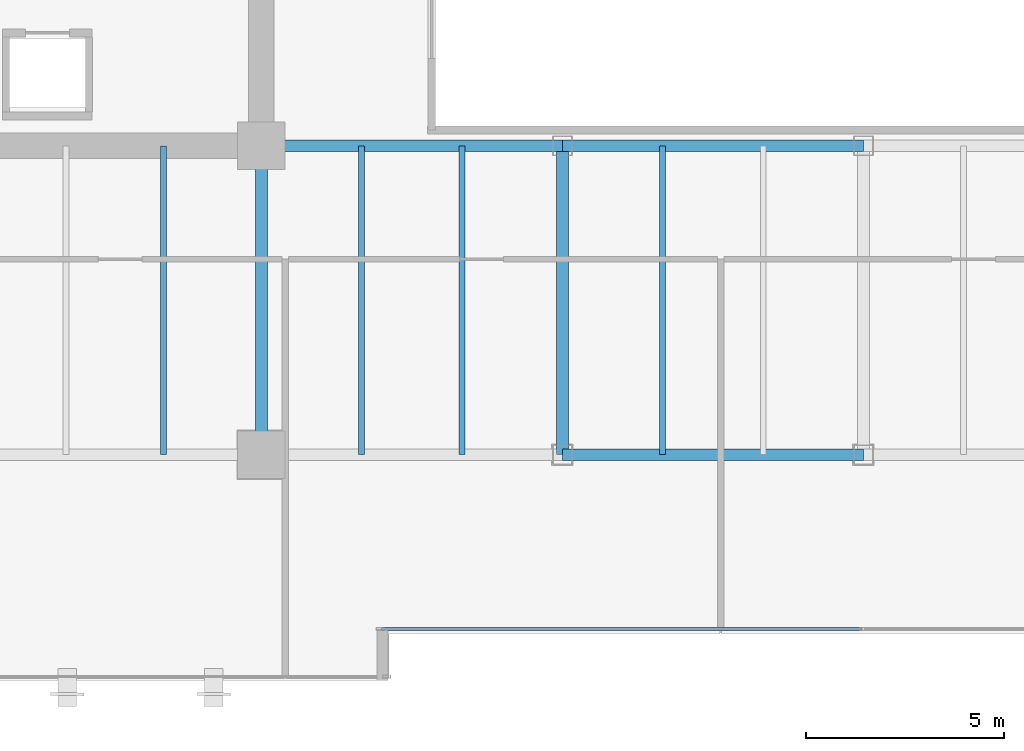
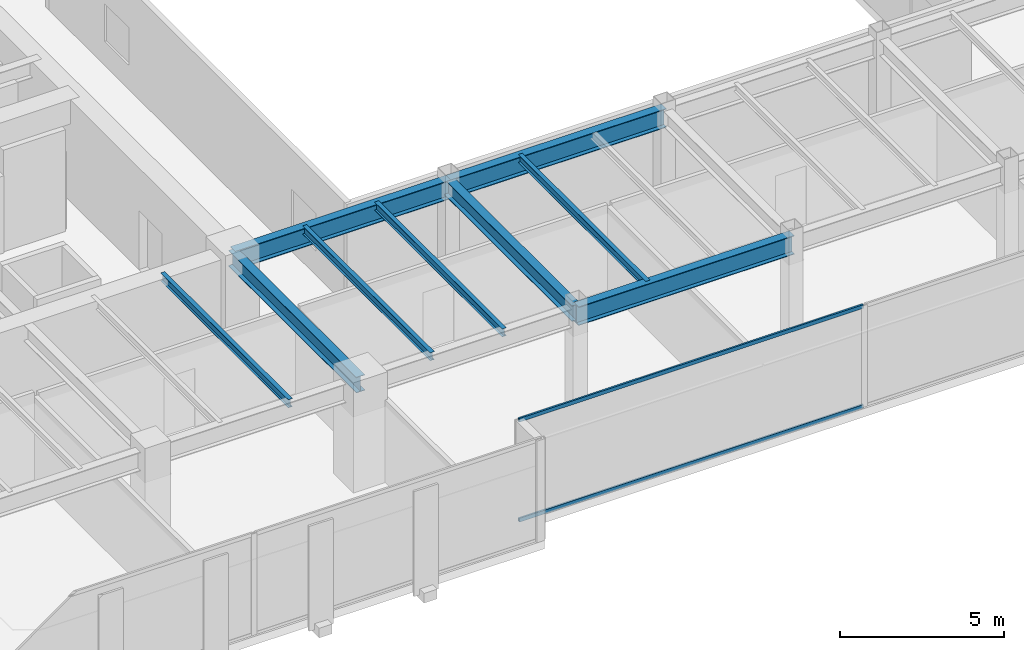
# One storey, part 5 of 34: 9 beams, 2 members, 1 element without a shape of its own.
"""IFC4 building model written with IfcOpenShell, lengths in metres."""

from ifc_helpers import new_model, si_unit, direction, frame, origin, origin_2d, place, context, subcontext, project, spatial, hollow_rectangle, i_section, extrude, source, transform, mapped, material, layer, layer_set, material_profile, profile_set, type_object, type_shapes, element, aggregate, save


model = new_model("IFC4")

# Units and contexts
model_context = context("Model", 3, precision=1e-05, world=origin(), true_north=direction((0.0, 1.0)))
body_context = subcontext(model_context, "Body", "Model", "MODEL_VIEW")
ifc_project = project(units=[si_unit("LENGTHUNIT", "METRE"), si_unit("AREAUNIT", "SQUARE_METRE"), si_unit("VOLUMEUNIT", "CUBIC_METRE"), si_unit("PLANEANGLEUNIT", "RADIAN"), si_unit("MASSUNIT", "GRAM", prefix="KILO")], contexts=[model_context])

# Site, building, storey
site_placement = place(None, origin())
site = spatial("IfcSite", under=ifc_project, at=site_placement, CompositionType="ELEMENT")
building_placement = place(site_placement, origin())
building = spatial("IfcBuilding", under=site, at=building_placement, Name="Haelvirn Gate Laboratories", CompositionType="ELEMENT")
storey_placement = place(building_placement, frame((0.0, 0.0, 158.39990234375)))
storey = spatial("IfcBuildingStorey", under=building, at=storey_placement, Name="L38", CompositionType="ELEMENT", Elevation=158.39990234375)

# Beams
ifc_material_1 = material(Name="Steel SM355", Category="steel")
ifc_material_profile_1 = material_profile(ifc_material_1, i_section(OverallWidth=0.300048828125, OverallDepth=0.699951171875, WebThickness=0.012939453125, FlangeThickness=0.02392578125, at=origin_2d()), Name="H-700x300x13x24")
ifc_profile_set_1 = profile_set([ifc_material_profile_1], Name="Steel SM355")
beam_type_1 = type_object("IfcBeamType", Name="BM-G-700", PredefinedType="BEAM", material=ifc_profile_set_1)
shared_shape_1 = source(origin(), body_context, "Body", "SweptSolid", [
    extrude(i_section(OverallWidth=0.300048828125, OverallDepth=0.699951171875, WebThickness=0.012939453125, FlangeThickness=0.02392578125, at=origin_2d()), origin(), (0.0, 0.0, 1.0), 7.60009765625),
])
beam_placement = place(storey_placement, frame((22.199951171875, 14.800048828125, 3.440185546875), z_axis=(1.0, 0.0, 0.0), x_axis=(0.0, 1.0, 0.0)))
element("IfcBeam", 1, at=beam_placement, inside=storey, type_object=beam_type_1, Name="L38 Primary Girder Y14.8 (22.2-29.8)", PredefinedType="BEAM", context=body_context, shape_type="MappedRepresentation", body=[
    mapped(shared_shape_1, transform((0.0, 0.0, 0.0), scale=1.0)),
])
shared_shape_2 = source(origin(), body_context, "Body", "SweptSolid", [
    extrude(i_section(OverallWidth=0.300048828125, OverallDepth=0.699951171875, WebThickness=0.012939453125, FlangeThickness=0.02392578125, at=origin_2d()), origin(), (0.0, 0.0, 1.0), 7.599853515625),
])
type_shapes(beam_type_1, [shared_shape_1, shared_shape_2])
for number, where, z_axis, x_axis, name in (
    (2, (29.800048828125, 7.0, 3.440185546875), (1.0, 0.0, 0.0), (0.0, 1.0, 0.0), "L38 Primary Girder Y7.0 (29.8-37.4)"),
    (3, (29.800048828125, 14.800048828125, 3.440185546875), (1.0, 0.0, 0.0), (0.0, 1.0, 0.0), "L38 Primary Girder Y14.8 (29.8-37.4)"),
):
    element("IfcBeam", number, at=place(storey_placement, frame(where, z_axis=z_axis, x_axis=x_axis)), inside=storey, type_object=beam_type_1, Name=name, PredefinedType="BEAM", context=body_context, shape_type="MappedRepresentation", body=[
        mapped(shared_shape_2, transform((0.0, 0.0, 0.0), scale=1.0)),
    ])
ifc_material_profile_2 = material_profile(ifc_material_1, i_section(OverallWidth=0.14990234375, OverallDepth=0.300048828125, WebThickness=0.006591796875, FlangeThickness=0.009033203125, at=origin_2d()), Name="H-300x150x6.5x9")
ifc_profile_set_2 = profile_set([ifc_material_profile_2], Name="Steel SM355")
beam_type_2 = type_object("IfcBeamType", Name="BM-J-300", PredefinedType="JOIST", material=ifc_profile_set_2)
shared_shape_3 = source(origin(), body_context, "Body", "SweptSolid", [
    extrude(i_section(OverallWidth=0.14990234375, OverallDepth=0.300048828125, WebThickness=0.006591796875, FlangeThickness=0.009033203125, at=origin_2d()), origin(), (0.0, 0.0, 1.0), 7.800048828125),
])
type_shapes(beam_type_2, [shared_shape_3])
for number, where, z_axis, x_axis, name in (
    (4, (19.72998046875, 7.0, 3.64013671875), (0.0, 1.0, 0.0), (-1.0, 0.0, 0.0), "L38 Composite Lab Joist South X19.73"),
    (5, (24.72998046875, 7.0, 3.64013671875), (0.0, 1.0, 0.0), (-1.0, 0.0, 0.0), "L38 Composite Lab Joist South X24.73"),
    (6, (27.27001953125, 7.0, 3.64013671875), (0.0, 1.0, 0.0), (-1.0, 0.0, 0.0), "L38 Composite Lab Joist South X27.27"),
    (7, (32.330078125, 7.0, 3.64013671875), (0.0, 1.0, 0.0), (-1.0, 0.0, 0.0), "L38 Composite Lab Joist South X32.33"),
):
    element("IfcBeam", number, at=place(storey_placement, frame(where, z_axis=z_axis, x_axis=x_axis)), inside=storey, type_object=beam_type_2, Name=name, PredefinedType="JOIST", context=body_context, shape_type="MappedRepresentation", body=[
        mapped(shared_shape_3, transform((0.0, 0.0, 0.0), scale=1.0)),
    ])
ifc_material_profile_3 = material_profile(ifc_material_1, i_section(OverallWidth=0.300048828125, OverallDepth=0.587890625, WebThickness=0.011962890625, FlangeThickness=0.02001953125, at=origin_2d()), Name="H-588x300x12x20")
ifc_profile_set_3 = profile_set([ifc_material_profile_3], Name="Steel SM355")
beam_type_3 = type_object("IfcBeamType", Name="BM-G-588", PredefinedType="BEAM", material=ifc_profile_set_3)
shared_shape_4 = source(origin(), body_context, "Body", "SweptSolid", [
    extrude(i_section(OverallWidth=0.300048828125, OverallDepth=0.587890625, WebThickness=0.011962890625, FlangeThickness=0.02001953125, at=origin_2d()), origin(), (0.0, 0.0, 1.0), 7.800048828125),
])
type_shapes(beam_type_3, [shared_shape_4])
for number, where, z_axis, x_axis, name in (
    (8, (22.199951171875, 7.0, 3.49609375), (0.0, 1.0, 0.0), (-1.0, 0.0, 0.0), "L38 Frame Girder X22.2 (7.0-14.8)"),
    (9, (29.800048828125, 7.0, 3.49609375), (0.0, 1.0, 0.0), (-1.0, 0.0, 0.0), "L38 Frame Girder X29.8 (7.0-14.8)"),
):
    element("IfcBeam", number, at=place(storey_placement, frame(where, z_axis=z_axis, x_axis=x_axis)), inside=storey, type_object=beam_type_3, Name=name, PredefinedType="BEAM", context=body_context, shape_type="MappedRepresentation", body=[
        mapped(shared_shape_4, transform((0.0, 0.0, 0.0), scale=1.0)),
    ])

# Curtain wall, members
ifc_material_2 = material(Name="Anodised bronze unitised aluminium & triple low-E glass", Category="aluminium")
ifc_layer = layer(ifc_material_2, 0.179931640625, Name="CW-SYS-3")
ifc_layer_set = layer_set([ifc_layer], Name="Anodised bronze unitised aluminium & triple low-E glass")
curtain_wall_type = type_object("IfcCurtainWallType", Name="CW-SYS-3", PredefinedType="NOTDEFINED", material=ifc_layer_set)
curtain_wall_placement = place(storey_placement, origin())
curtain_wall = element("IfcCurtainWall", 10, at=curtain_wall_placement, inside=storey, type_object=curtain_wall_type, Name="L38 Unitised Curtain Wall CW-L38-P0-E02-1", PredefinedType="NOTDEFINED")
ifc_material_3 = material(Name="Extruded aluminium 6063-T6 (anodised bronze)", Category="aluminium")
ifc_material_profile_4 = material_profile(ifc_material_3, hollow_rectangle(XDim=0.06494140625, YDim=0.139892578125, WallThickness=0.00390625, at=origin_2d()), Name="CWT-140x65x4")
ifc_profile_set_4 = profile_set([ifc_material_profile_4], Name="Extruded aluminium 6063-T6 (anodised bronze)")
member_type = type_object("IfcMemberType", Name="CWT-T140", PredefinedType="USERDEFINED", material=ifc_profile_set_4)
shared_shape_5 = source(origin(), body_context, "Body", "SweptSolid", [
    extrude(hollow_rectangle(XDim=0.06494140625, YDim=0.139892578125, WallThickness=0.00390625, at=origin_2d()), origin(), (0.0, 0.0, 1.0), 12.12744140625),
])
type_shapes(member_type, [shared_shape_5])
member_1_placement = place(storey_placement, frame((25.235107421875, 2.60009765625, 0.03271484375), z_axis=(1.0, 0.0, 0.0), x_axis=(0.0, 1.0, 0.0)))
member_1 = element("IfcMember", 11, at=member_1_placement, type_object=member_type, Name="CW3 transom 1.1", ObjectType="TRANSOM", PredefinedType="USERDEFINED", context=body_context, shape_type="MappedRepresentation", body=[
    mapped(shared_shape_5, transform((0.0, 0.0, 0.0), scale=1.0)),
])
member_2_placement = place(storey_placement, frame((25.235107421875, 2.60009765625, 3.757568359375), z_axis=(1.0, 0.0, 0.0), x_axis=(0.0, 1.0, 0.0)))
member_2 = element("IfcMember", 12, at=member_2_placement, type_object=member_type, Name="CW3 transom 1.2", ObjectType="TRANSOM", PredefinedType="USERDEFINED", context=body_context, shape_type="MappedRepresentation", body=[
    mapped(shared_shape_5, transform((0.0, 0.0, 0.0), scale=1.0)),
])
aggregate(curtain_wall, [member_1, member_2])

save(model, "model.ifc")
